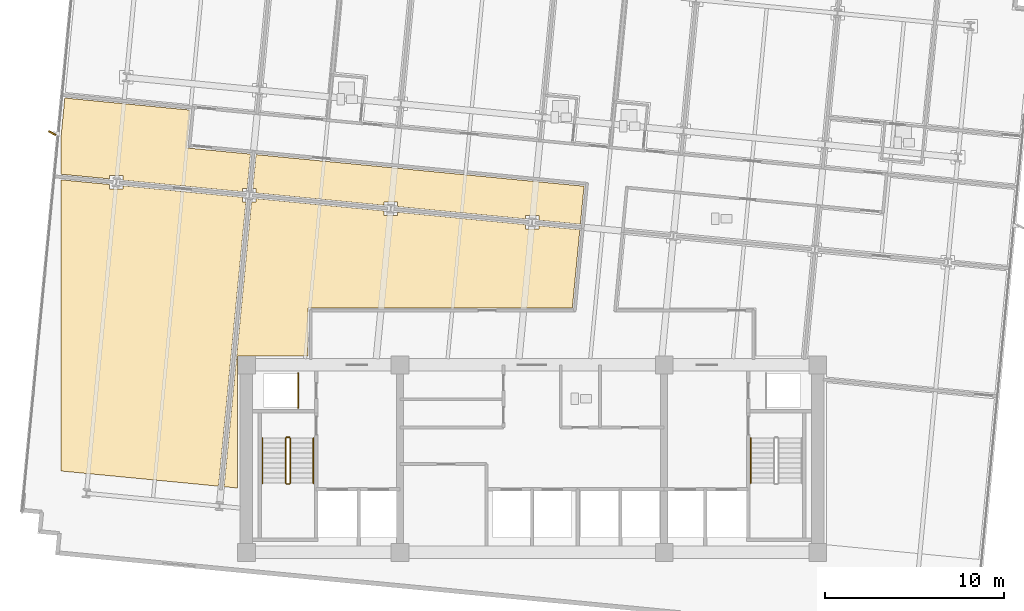
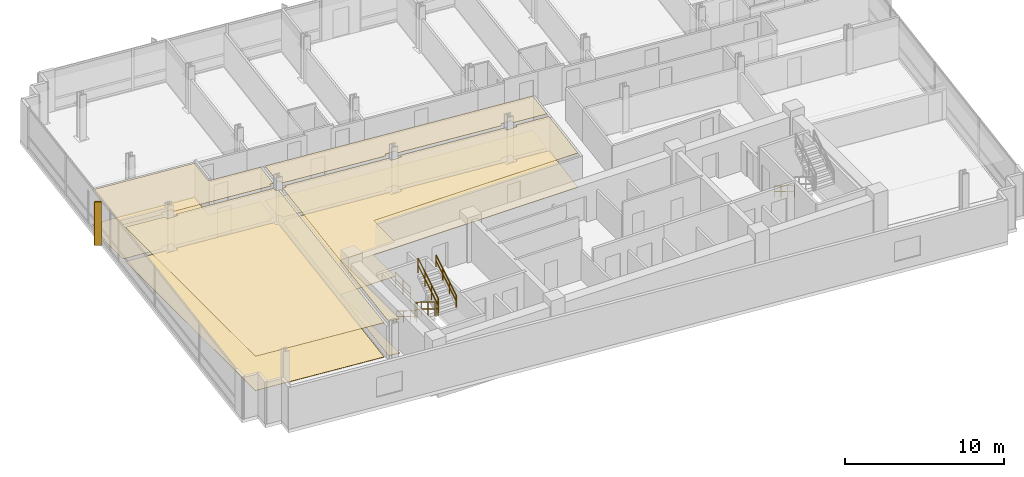
# One storey, part 14 of 17: 8 coverings, 8 railings, 1 shading device.
"""IFC4 building model written with IfcOpenShell, lengths in metres."""

import ifcopenshell
import ifcopenshell.guid

model = None  # the IFC model being written
_history = None  # IfcOwnerHistory: only IFC2X3 demands one
_inside = {}  # id of a spatial element -> (the spatial element, [elements in it])
_under = {}  # id of a project, library or spatial element -> (it, [spatial elements below it])
_declared = {}  # id of a project -> (the project, [libraries it declares])
_typed = {}  # id of a type object -> (the type object, [elements of that type])
_made_of = {}  # id of a material, layer set ... -> (it, [elements and type objects made of it])


def new_model(schema):
    """Start an empty IFC model of exactly this schema.

    Asked for "IFC4X3", IfcOpenShell would pick the latest addendum, in which some entities
    have other attributes; the version numbers below select the first issue.
    IFC2X3 requires an IfcOwnerHistory on every rooted entity: one is made here for all.
    """
    global model, _history
    if schema == "IFC4X3":
        model = ifcopenshell.file(schema_version=(4, 3, 0, 0))
    else:
        model = ifcopenshell.file(schema=schema)
    _inside.clear()
    _under.clear()
    _declared.clear()
    _typed.clear()
    _made_of.clear()
    _history = None
    if model.schema == "IFC2X3":
        org = make("IfcOrganization", Name="unknown")
        user = make(
            "IfcPersonAndOrganization",
            ThePerson=make("IfcPerson", FamilyName="unknown"),
            TheOrganization=org,
        )
        app = make(
            "IfcApplication",
            ApplicationDeveloper=org,
            Version="unknown",
            ApplicationFullName="unknown",
            ApplicationIdentifier="unknown",
        )
        _history = make(
            "IfcOwnerHistory",
            OwningUser=user,
            OwningApplication=app,
            ChangeAction="ADDED",
            CreationDate=0,
        )
    return model


def make(cls, **values):
    """One entity of the class cls with the attributes given. An attribute that is None is left unset."""
    return model.create_entity(
        cls, **{name: value for name, value in values.items() if value is not None}
    )


def rooted(cls, **values):
    """An entity with a GlobalId (a new one), such as an element, a storey or a relation."""
    return make(cls, GlobalId=ifcopenshell.guid.new(), OwnerHistory=_history, **values)


def si_unit(unit_type, name, prefix=None):
    """IfcSIUnit, for example si_unit("LENGTHUNIT", "METRE", prefix="MILLI")."""
    return make("IfcSIUnit", UnitType=unit_type, Prefix=prefix, Name=name)


def assignment(units):
    """IfcUnitAssignment: the units of a project."""
    return None if units is None else make("IfcUnitAssignment", Units=units)


def point(xyz):
    """IfcCartesianPoint."""
    return None if xyz is None else make("IfcCartesianPoint", Coordinates=xyz)


def direction(xyz):
    """IfcDirection."""
    return None if xyz is None else make("IfcDirection", DirectionRatios=xyz)


def frame(location, z_axis=None, x_axis=None):
    """IfcAxis2Placement3D, a coordinate frame: its origin and axes. An axis left out is left unset."""
    return make(
        "IfcAxis2Placement3D",
        Location=point(location),
        Axis=direction(z_axis),
        RefDirection=direction(x_axis),
    )


def frame_2d(location, x_axis=None):
    """IfcAxis2Placement2D, a coordinate frame in the plane: its origin and x axis."""
    return make(
        "IfcAxis2Placement2D", Location=point(location), RefDirection=direction(x_axis)
    )


def origin():
    """The frame at (0, 0, 0) with its axes left unset."""
    return frame((0.0, 0.0, 0.0))


def origin_2d():
    """The frame at (0, 0) in the plane with its x axis left unset."""
    return frame_2d((0.0, 0.0))


def place(relative_to, where):
    """IfcLocalPlacement: puts the frame where relative to a parent placement (None: the world)."""
    return make(
        "IfcLocalPlacement", PlacementRelTo=relative_to, RelativePlacement=where
    )


def context(
    kind, dimensions, precision=None, world=None, true_north=None, identifier=None
):
    """IfcGeometricRepresentationContext, for example the 3D "Model" context."""
    return make(
        "IfcGeometricRepresentationContext",
        ContextIdentifier=identifier,
        ContextType=kind,
        CoordinateSpaceDimension=dimensions,
        Precision=precision,
        WorldCoordinateSystem=world,
        TrueNorth=true_north,
    )


def subcontext(parent, identifier, kind, view, scale=None):
    """IfcGeometricRepresentationSubContext, for example "Body" below "Model"."""
    return make(
        "IfcGeometricRepresentationSubContext",
        ContextIdentifier=identifier,
        ContextType=kind,
        ParentContext=parent,
        TargetScale=scale,
        TargetView=view,
    )


def project(units=None, contexts=None):
    """IfcProject with its units and contexts."""
    return rooted(
        "IfcProject",
        Name="project",
        RepresentationContexts=contexts,
        UnitsInContext=assignment(units),
    )


def spatial(cls, under=None, at=None, **own):
    """A site, building, storey or space (cls), placed at a placement, below another one or the project."""
    s = rooted(cls, ObjectPlacement=at, **own)
    if under is not None:
        _under.setdefault(under.id(), (under, []))[1].append(s)
    return s


def polyline(points):
    """IfcPolyline through the points."""
    return make("IfcPolyline", Points=[point(p) for p in points])


def profile(cls, at=None, kind="AREA", **sizes):
    """A parametric profile (cls). Its sizes go by their IFC names, for example OverallWidth=200.0."""
    return make(cls, ProfileType=kind, Position=at, **sizes)


def rectangle(**sizes):
    """IfcRectangleProfileDef."""
    return profile("IfcRectangleProfileDef", **sizes)


def circle(**sizes):
    """IfcCircleProfileDef."""
    return profile("IfcCircleProfileDef", **sizes)


def outline(outer, holes=None, kind="AREA"):
    """IfcArbitraryClosedProfileDef: a profile drawn as a closed curve; with holes, ...WithVoids."""
    if holes is None:
        return make("IfcArbitraryClosedProfileDef", ProfileType=kind, OuterCurve=outer)
    return make(
        "IfcArbitraryProfileDefWithVoids",
        ProfileType=kind,
        OuterCurve=outer,
        InnerCurves=holes,
    )


def extrude(swept, where, along, depth):
    """IfcExtrudedAreaSolid: the profile swept, set in the frame where, extruded along a direction by depth."""
    return make(
        "IfcExtrudedAreaSolid",
        SweptArea=swept,
        Position=where,
        ExtrudedDirection=direction(along),
        Depth=depth,
    )


def shape(context_of_items, identifier, shape_type, items):
    """IfcShapeRepresentation: the items that make up one representation, for example the "Body"."""
    return make(
        "IfcShapeRepresentation",
        ContextOfItems=context_of_items,
        RepresentationIdentifier=identifier,
        RepresentationType=shape_type,
        Items=items,
    )


def material(Name=None, Category=None):
    """IfcMaterial."""
    return make("IfcMaterial", Name=Name, Category=Category)


def layer(
    of_material, thickness, ventilated=None, Name=None, Category=None, Priority=None
):
    """IfcMaterialLayer: one layer of a wall or slab, of a material (None: an air gap)."""
    return make(
        "IfcMaterialLayer",
        Material=of_material,
        LayerThickness=thickness,
        IsVentilated=ventilated,
        Name=Name,
        Category=Category,
        Priority=Priority,
    )


def layer_set(layers, Name=None):
    """IfcMaterialLayerSet."""
    return make("IfcMaterialLayerSet", MaterialLayers=layers, LayerSetName=Name)


def made_of(thing, what):
    """Note that an element or type object is made of a material, layer set ...; save() writes the relation."""
    if what is not None:
        _made_of.setdefault(what.id(), (what, []))[1].append(thing)
    return thing


def type_object(cls, material=None, **own):
    """A type object (cls), such as IfcWallType, which elements share."""
    return made_of(rooted(cls, **own), material)


def element(
    cls,
    number,
    at=None,
    inside=None,
    cuts=None,
    type_object=None,
    material=None,
    context=None,
    identifier="Body",
    shape_type=None,
    held_by="IfcProductDefinitionShape",
    body=None,
    shapes=None,
    **own,
):
    """One element of the class cls, such as IfcWall. Its Tag is "e" and its number.

    at: its placement. inside: the storey or other place that contains it. cuts: it is an
    opening in that element (IfcRelVoidsElement). A single representation is given by context,
    identifier, shape_type and body (its items); several are given by shapes. held_by: the class
    of the entity that holds the representations. save() writes the other relations.
    """
    e = rooted(cls, Tag="e%d" % number, ObjectPlacement=at, **own)
    if body is not None:
        shapes = [shape(context, identifier, shape_type, body)]
    if shapes is not None:
        e.Representation = make(held_by, Representations=shapes)
    if inside is not None:
        _inside.setdefault(inside.id(), (inside, []))[1].append(e)
    if cuts is not None:
        rooted(
            "IfcRelVoidsElement", RelatingBuildingElement=cuts, RelatedOpeningElement=e
        )
    if type_object is not None:
        _typed.setdefault(type_object.id(), (type_object, []))[1].append(e)
    return made_of(e, material)


def aggregate(whole, parts):
    """IfcRelAggregates: a whole, such as a stair, and the parts it consists of."""
    return rooted("IfcRelAggregates", RelatingObject=whole, RelatedObjects=parts)


def save(model, path):
    """Write the relations noted so far, then the file.

    IfcRelAggregates (storeys below a building ...), IfcRelContainedInSpatialStructure (elements
    in a storey), IfcRelDefinesByType, IfcRelAssociatesMaterial and IfcRelDeclares: one each for
    every whole, place, type object, material and project.
    """
    for whole, parts in _under.values():
        aggregate(whole, parts)
    for where, things in _inside.values():
        rooted(
            "IfcRelContainedInSpatialStructure",
            RelatedElements=things,
            RelatingStructure=where,
        )
    for kind, things in _typed.values():
        rooted("IfcRelDefinesByType", RelatedObjects=things, RelatingType=kind)
    for what, things in _made_of.values():
        rooted("IfcRelAssociatesMaterial", RelatedObjects=things, RelatingMaterial=what)
    for by, libraries in _declared.values():
        rooted("IfcRelDeclares", RelatingContext=by, RelatedDefinitions=libraries)
    model.write(path)


model = new_model("IFC4")

# Units and contexts
model_context = context("Model", 3, precision=1e-05, world=origin(), true_north=direction((0.0, 1.0)))
body_context = subcontext(model_context, "Body", "Model", "MODEL_VIEW")
ifc_project = project(units=[si_unit("LENGTHUNIT", "METRE"), si_unit("AREAUNIT", "SQUARE_METRE"), si_unit("VOLUMEUNIT", "CUBIC_METRE"), si_unit("PLANEANGLEUNIT", "RADIAN"), si_unit("MASSUNIT", "GRAM", prefix="KILO")], contexts=[model_context])

# Site, building, storey
site_placement = place(None, origin())
site = spatial("IfcSite", under=ifc_project, at=site_placement, CompositionType="ELEMENT")
building_placement = place(site_placement, origin())
building = spatial("IfcBuilding", under=site, at=building_placement, Name="Solmavex Isthmus Hotel", CompositionType="ELEMENT")
storey_placement = place(building_placement, frame((0.0, 0.0, 173.85009765625)))
storey = spatial("IfcBuildingStorey", under=building, at=storey_placement, Name="L47", CompositionType="ELEMENT", Elevation=173.85009765625)

# Coverings
ifc_material_1 = material(Name="Gypsum plasterboard lining", Category="gypsum")
ifc_layer_1 = layer(ifc_material_1, 0.030029296875)
ifc_layer_set_1 = layer_set([ifc_layer_1], Name="Gypsum plasterboard lining")
covering_type_1 = type_object("IfcCoveringType", Name="COV-CEIL-GYP", PredefinedType="CEILING", material=ifc_layer_set_1)
covering_1_placement = place(storey_placement, frame((0.0, 0.0, 2.619873046875)))
element("IfcCovering", 1, at=covering_1_placement, inside=storey, type_object=covering_type_1, Name="Suspended Acoustic Ceiling L47-FL10", PredefinedType="CEILING", context=body_context, shape_type="SweptSolid", body=[
    extrude(outline(polyline([(-16.217529296875, 7.207763671875), (-16.217529296875, 7.3955078125), (-15.95654296875, 7.3955078125), (-15.771728515625, 9.314697265625), (-19.355224609375, 9.65966796875), (-19.151123046875, 11.780029296875), (-26.176513671875, 12.45654296875), (-26.39990234375, 10.135986328125), (-26.39990234375, 8.188232421875), (-23.6708984375, 7.925537109375), (-23.6708984375, 8.113037109375), (-22.910888671875, 8.113037109375), (-22.910888671875, 7.852294921875), (-16.217529296875, 7.207763671875)])), origin(), (0.0, 0.0, 1.0), 0.030029296875),
])
covering_2_placement = place(storey_placement, frame((0.0, 0.0, 2.619873046875)))
element("IfcCovering", 2, at=covering_2_placement, inside=storey, type_object=covering_type_1, Name="Suspended Acoustic Ceiling L47-FL12", PredefinedType="CEILING", context=body_context, shape_type="SweptSolid", body=[
    extrude(outline(polyline([(-0.378662109375, 5.6826171875), (-0.378662109375, 5.870361328125), (0.38134765625, 5.870361328125), (0.38134765625, 5.609375), (2.706787109375, 5.385498046875), (2.911865234375, 7.515625), (-15.463134765625, 9.284912109375), (-15.645263671875, 7.3955078125), (-15.45751953125, 7.3955078125), (-15.45751953125, 7.134521484375), (-8.298095703125, 6.445068359375), (-8.298095703125, 6.6328125), (-7.5380859375, 6.6328125), (-7.5380859375, 6.3720703125), (-0.378662109375, 5.6826171875)])), origin(), (0.0, 0.0, 1.0), 0.030029296875),
])
covering_3_placement = place(storey_placement, frame((0.0, 0.0, 2.619873046875)))
element("IfcCovering", 3, at=covering_3_placement, inside=storey, type_object=covering_type_1, Name="Suspended Acoustic Ceiling L47-FL16", PredefinedType="CEILING", context=body_context, shape_type="SweptSolid", body=[
    extrude(outline(polyline([(-15.45751953125, 6.822998046875), (-15.45751953125, 6.635498046875), (-15.71826171875, 6.635498046875), (-17.254638671875, -9.31884765625), (-16.5048828125, -9.39111328125), (-16.5048828125, -1.9951171875), (-12.554931640625, -1.9951171875), (-12.554931640625, 0.705078125), (2.256103515625, 0.705078125), (2.677001953125, 5.076904296875), (0.38134765625, 5.298095703125), (0.38134765625, 5.1103515625), (-0.378662109375, 5.1103515625), (-0.378662109375, 5.37109375), (-7.5380859375, 6.060546875), (-7.5380859375, 5.872802734375), (-8.298095703125, 5.872802734375), (-8.298095703125, 6.1337890625), (-15.45751953125, 6.822998046875)])), origin(), (0.0, 0.0, 1.0), 0.030029296875),
])
covering_4_placement = place(storey_placement, frame((0.0, 0.0, 2.619873046875)))
element("IfcCovering", 4, at=covering_4_placement, inside=storey, type_object=covering_type_1, Name="Suspended Acoustic Ceiling L47-FL17", PredefinedType="CEILING", context=body_context, shape_type="SweptSolid", body=[
    extrude(outline(polyline([(-22.910888671875, 7.540771484375), (-22.910888671875, 7.35302734375), (-23.6708984375, 7.35302734375), (-23.6708984375, 7.614013671875), (-26.39990234375, 7.876708984375), (-26.39990234375, -8.438232421875), (-17.563232421875, -9.289306640625), (-16.02978515625, 6.635498046875), (-16.217529296875, 6.635498046875), (-16.217529296875, 6.896240234375), (-22.910888671875, 7.540771484375)])), origin(), (0.0, 0.0, 1.0), 0.030029296875),
])
ifc_material_2 = material(Name="Travertine natural stone", Category="masonry")
ifc_layer_2 = layer(ifc_material_2, 0.02490234375)
ifc_layer_set_2 = layer_set([ifc_layer_2], Name="Travertine natural stone")
covering_type_2 = type_object("IfcCoveringType", Name="COV-FLOR-STN", PredefinedType="FLOORING", material=ifc_layer_set_2)
covering_5_placement = place(storey_placement, origin())
element("IfcCovering", 5, at=covering_5_placement, inside=storey, type_object=covering_type_2, Name="Stone and Timber Floor Finish L47-FL10", PredefinedType="FLOORING", context=body_context, shape_type="SweptSolid", body=[
    extrude(outline(polyline([(-16.217529296875, 7.207763671875), (-16.217529296875, 7.3955078125), (-15.95654296875, 7.3955078125), (-15.771728515625, 9.314697265625), (-19.355224609375, 9.65966796875), (-19.151123046875, 11.780029296875), (-26.176513671875, 12.45654296875), (-26.39990234375, 10.135986328125), (-26.39990234375, 8.188232421875), (-23.6708984375, 7.925537109375), (-23.6708984375, 8.113037109375), (-22.910888671875, 8.113037109375), (-22.910888671875, 7.852294921875), (-16.217529296875, 7.207763671875)])), origin(), (0.0, 0.0, 1.0), 0.02490234375),
])
covering_6_placement = place(storey_placement, origin())
element("IfcCovering", 6, at=covering_6_placement, inside=storey, type_object=covering_type_2, Name="Stone and Timber Floor Finish L47-FL12", PredefinedType="FLOORING", context=body_context, shape_type="SweptSolid", body=[
    extrude(outline(polyline([(-0.378662109375, 5.6826171875), (-0.378662109375, 5.870361328125), (0.38134765625, 5.870361328125), (0.38134765625, 5.609375), (2.706787109375, 5.385498046875), (2.911865234375, 7.515625), (-15.463134765625, 9.284912109375), (-15.645263671875, 7.3955078125), (-15.45751953125, 7.3955078125), (-15.45751953125, 7.134521484375), (-8.298095703125, 6.445068359375), (-8.298095703125, 6.6328125), (-7.5380859375, 6.6328125), (-7.5380859375, 6.3720703125), (-0.378662109375, 5.6826171875)])), origin(), (0.0, 0.0, 1.0), 0.02490234375),
])
covering_7_placement = place(storey_placement, origin())
element("IfcCovering", 7, at=covering_7_placement, inside=storey, type_object=covering_type_2, Name="Stone and Timber Floor Finish L47-FL16", PredefinedType="FLOORING", context=body_context, shape_type="SweptSolid", body=[
    extrude(outline(polyline([(-15.45751953125, 6.822998046875), (-15.45751953125, 6.635498046875), (-15.71826171875, 6.635498046875), (-17.254638671875, -9.31884765625), (-16.5048828125, -9.39111328125), (-16.5048828125, -1.9951171875), (-12.554931640625, -1.9951171875), (-12.554931640625, 0.705078125), (2.256103515625, 0.705078125), (2.677001953125, 5.076904296875), (0.38134765625, 5.298095703125), (0.38134765625, 5.1103515625), (-0.378662109375, 5.1103515625), (-0.378662109375, 5.37109375), (-7.5380859375, 6.060546875), (-7.5380859375, 5.872802734375), (-8.298095703125, 5.872802734375), (-8.298095703125, 6.1337890625), (-15.45751953125, 6.822998046875)])), origin(), (0.0, 0.0, 1.0), 0.02490234375),
])
covering_8_placement = place(storey_placement, origin())
element("IfcCovering", 8, at=covering_8_placement, inside=storey, type_object=covering_type_2, Name="Stone and Timber Floor Finish L47-FL17", PredefinedType="FLOORING", context=body_context, shape_type="SweptSolid", body=[
    extrude(outline(polyline([(-22.910888671875, 7.540771484375), (-22.910888671875, 7.35302734375), (-23.6708984375, 7.35302734375), (-23.6708984375, 7.614013671875), (-26.39990234375, 7.876708984375), (-26.39990234375, -8.438232421875), (-17.563232421875, -9.289306640625), (-16.02978515625, 6.635498046875), (-16.217529296875, 6.635498046875), (-16.217529296875, 6.896240234375), (-22.910888671875, 7.540771484375)])), origin(), (0.0, 0.0, 1.0), 0.02490234375),
])

# Railings
ifc_material_3 = material(Name="Clear low-E laminated glass", Category="glass")
ifc_layer_3 = layer(ifc_material_3, 0.080078125)
ifc_layer_set_3 = layer_set([ifc_layer_3], Name="Clear low-E laminated glass")
railing_type_1 = type_object("IfcRailingType", Name="RAIL-ATRIUM-1120", PredefinedType="BALUSTRADE", material=ifc_layer_set_3)
railing_1_placement = place(storey_placement, frame((-13.10009765625, -4.89990234375, 0.0)))
element("IfcRailing", 9, at=railing_1_placement, inside=storey, type_object=railing_type_1, Name="Guardrail Balustrade L47-RSW-01", PredefinedType="BALUSTRADE", context=body_context, shape_type="SweptSolid", body=[
    extrude(circle(Radius=0.02392578125, at=origin_2d()), frame((0.0, 0.0, 1.1259765625), z_axis=(0.0, 1.0, 0.0), x_axis=(-1.0, 0.0, 0.0)), (0.0, 0.0, 1.0), 1.949951171875),
    extrude(circle(Radius=0.02392578125, at=origin_2d()), frame((0.0, 0.0, 0.574951171875), z_axis=(0.0, 1.0, 0.0), x_axis=(-1.0, 0.0, 0.0)), (0.0, 0.0, 1.0), 1.949951171875),
    extrude(circle(Radius=0.02099609375, at=origin_2d()), origin(), (0.0, 0.0, 1.0), 1.101806640625),
    extrude(circle(Radius=0.02099609375, at=origin_2d()), frame((0.0, 0.97509765625, 0.0)), (0.0, 0.0, 1.0), 1.101806640625),
    extrude(circle(Radius=0.02099609375, at=origin_2d()), frame((0.0, 1.949951171875, 0.0)), (0.0, 0.0, 1.0), 1.101806640625),
])
ifc_material_4 = material(Name="Stainless steel 316", Category="steel")
ifc_layer_4 = layer(ifc_material_4, 0.06005859375)
ifc_layer_set_4 = layer_set([ifc_layer_4], Name="Stainless steel 316")
railing_type_2 = type_object("IfcRailingType", Name="RAIL-STAIR-GD", PredefinedType="GUARDRAIL", material=ifc_layer_set_4)
railing_2_placement = place(storey_placement, frame((-13.800048828125, -6.60009765625, 0.17236328125)))
element("IfcRailing", 10, at=railing_2_placement, inside=storey, type_object=railing_type_2, Name="L47 ST-1 stair guard 1", PredefinedType="GUARDRAIL", context=body_context, shape_type="SweptSolid", body=[
    extrude(circle(Radius=0.02392578125, at=origin_2d()), frame((0.0, 0.0, 1.09619140625), z_axis=(0.0, -0.851400495292, 0.524516154772), x_axis=(1.0, 0.0, 0.0)), (0.0, 0.0, 1.0), 2.9599609375),
    extrude(circle(Radius=0.02392578125, at=origin_2d()), frame((0.0, 0.0, 0.56005859375), z_axis=(0.0, -0.851400495292, 0.524516154772), x_axis=(1.0, 0.0, 0.0)), (0.0, 0.0, 1.0), 2.9599609375),
    extrude(circle(Radius=0.02099609375, at=origin_2d()), origin(), (0.0, 0.0, 1.0), 1.072021484375),
    extrude(circle(Radius=0.02099609375, at=origin_2d()), frame((0.0, -0.840087890625, 0.517578125)), (0.0, 0.0, 1.0), 1.072021484375),
    extrude(circle(Radius=0.02099609375, at=origin_2d()), frame((0.0, -1.679931640625, 1.034912109375)), (0.0, 0.0, 1.0), 1.072021484375),
    extrude(circle(Radius=0.02099609375, at=origin_2d()), frame((0.0, -2.52001953125, 1.552490234375)), (0.0, 0.0, 1.0), 1.072021484375),
])
railing_3_placement = place(storey_placement, frame((-13.75, -9.169921875, 1.724853515625)))
element("IfcRailing", 11, at=railing_3_placement, inside=storey, type_object=railing_type_2, Name="L47 ST-1 stair guard 2", PredefinedType="GUARDRAIL", context=body_context, shape_type="SweptSolid", body=[
    extrude(circle(Radius=0.02392578125, at=origin_2d()), frame((0.0, 0.0, 1.09619140625), z_axis=(1.0, 0.0, 0.0), x_axis=(0.0, 1.0, 0.0)), (0.0, 0.0, 1.0), 0.14990234375),
    extrude(circle(Radius=0.02392578125, at=origin_2d()), frame((0.0, 0.0, 0.56005859375), z_axis=(1.0, 0.0, 0.0), x_axis=(0.0, 1.0, 0.0)), (0.0, 0.0, 1.0), 0.14990234375),
    extrude(circle(Radius=0.02099609375, at=origin_2d()), origin(), (0.0, 0.0, 1.0), 1.072021484375),
    extrude(circle(Radius=0.02099609375, at=origin_2d()), frame((0.14990234375, 0.0, 0.0)), (0.0, 0.0, 1.0), 1.072021484375),
])
railing_4_placement = place(storey_placement, frame((-13.550048828125, -9.1201171875, 1.8974609375)))
element("IfcRailing", 12, at=railing_4_placement, inside=storey, type_object=railing_type_2, Name="L47 ST-1 stair guard 3", PredefinedType="GUARDRAIL", context=body_context, shape_type="SweptSolid", body=[
    extrude(circle(Radius=0.02392578125, at=origin_2d()), frame((0.0, 0.0, 1.09619140625), z_axis=(0.0, 0.851400495292, 0.524516154772), x_axis=(-1.0, 0.0, 0.0)), (0.0, 0.0, 1.0), 2.9599609375),
    extrude(circle(Radius=0.02392578125, at=origin_2d()), frame((0.0, 0.0, 0.56005859375), z_axis=(0.0, 0.851400495292, 0.524516154772), x_axis=(-1.0, 0.0, 0.0)), (0.0, 0.0, 1.0), 2.9599609375),
    extrude(circle(Radius=0.02099609375, at=origin_2d()), origin(), (0.0, 0.0, 1.0), 1.072021484375),
    extrude(circle(Radius=0.02099609375, at=origin_2d()), frame((0.0, 0.840087890625, 0.517578125)), (0.0, 0.0, 1.0), 1.072021484375),
    extrude(circle(Radius=0.02099609375, at=origin_2d()), frame((0.0, 1.679931640625, 1.034912109375)), (0.0, 0.0, 1.0), 1.072021484375),
    extrude(circle(Radius=0.02099609375, at=origin_2d()), frame((0.0, 2.52001953125, 1.552490234375)), (0.0, 0.0, 1.0), 1.072021484375),
])
railing_5_placement = place(storey_placement, frame((-13.75, -6.550048828125, 0.0)))
element("IfcRailing", 13, at=railing_5_placement, inside=storey, type_object=railing_type_2, Name="L47 ST-1 stair guard 4", PredefinedType="GUARDRAIL", context=body_context, shape_type="SweptSolid", body=[
    extrude(circle(Radius=0.02392578125, at=origin_2d()), frame((0.0, 0.0, 1.09619140625), z_axis=(1.0, 0.0, 0.0), x_axis=(0.0, 1.0, 0.0)), (0.0, 0.0, 1.0), 0.14990234375),
    extrude(circle(Radius=0.02392578125, at=origin_2d()), frame((0.0, 0.0, 0.56005859375), z_axis=(1.0, 0.0, 0.0), x_axis=(0.0, 1.0, 0.0)), (0.0, 0.0, 1.0), 0.14990234375),
    extrude(circle(Radius=0.02099609375, at=origin_2d()), origin(), (0.0, 0.0, 1.0), 1.072021484375),
    extrude(circle(Radius=0.02099609375, at=origin_2d()), frame((0.14990234375, 0.0, 0.0)), (0.0, 0.0, 1.0), 1.072021484375),
])
ifc_layer_5 = layer(ifc_material_4, 0.050048828125)
ifc_layer_set_5 = layer_set([ifc_layer_5], Name="Stainless steel 316")
railing_type_3 = type_object("IfcRailingType", Name="RAIL-STAIR-HR", PredefinedType="HANDRAIL", material=ifc_layer_set_5)
railing_6_placement = place(storey_placement, frame((-15.10009765625, -6.60009765625, 0.17236328125)))
element("IfcRailing", 14, at=railing_6_placement, inside=storey, type_object=railing_type_3, Name="L47 ST-1 stair handrail 1", PredefinedType="HANDRAIL", context=body_context, shape_type="SweptSolid", body=[
    extrude(circle(Radius=0.02392578125, at=origin_2d()), frame((0.0, 0.0, 0.8759765625), z_axis=(0.0, -0.851400495292, 0.524516154772), x_axis=(1.0, 0.0, 0.0)), (0.0, 0.0, 1.0), 2.9599609375),
    extrude(circle(Radius=0.02392578125, at=origin_2d()), frame((0.0, 0.0, 0.449951171875), z_axis=(0.0, -0.851400495292, 0.524516154772), x_axis=(1.0, 0.0, 0.0)), (0.0, 0.0, 1.0), 2.9599609375),
    extrude(circle(Radius=0.02099609375, at=origin_2d()), origin(), (0.0, 0.0, 1.0), 0.851806640625),
    extrude(circle(Radius=0.02099609375, at=origin_2d()), frame((0.0, -0.840087890625, 0.517578125)), (0.0, 0.0, 1.0), 0.851806640625),
    extrude(circle(Radius=0.02099609375, at=origin_2d()), frame((0.0, -1.679931640625, 1.034912109375)), (0.0, 0.0, 1.0), 0.851806640625),
    extrude(circle(Radius=0.02099609375, at=origin_2d()), frame((0.0, -2.52001953125, 1.552490234375)), (0.0, 0.0, 1.0), 0.851806640625),
])
railing_7_placement = place(storey_placement, frame((-12.25, -9.1201171875, 1.8974609375)))
element("IfcRailing", 15, at=railing_7_placement, inside=storey, type_object=railing_type_3, Name="L47 ST-1 stair handrail 2", PredefinedType="HANDRAIL", context=body_context, shape_type="SweptSolid", body=[
    extrude(circle(Radius=0.02392578125, at=origin_2d()), frame((0.0, 0.0, 0.8759765625), z_axis=(0.0, 0.851400495292, 0.524516154772), x_axis=(-1.0, 0.0, 0.0)), (0.0, 0.0, 1.0), 2.9599609375),
    extrude(circle(Radius=0.02392578125, at=origin_2d()), frame((0.0, 0.0, 0.449951171875), z_axis=(0.0, 0.851400495292, 0.524516154772), x_axis=(-1.0, 0.0, 0.0)), (0.0, 0.0, 1.0), 2.9599609375),
    extrude(circle(Radius=0.02099609375, at=origin_2d()), origin(), (0.0, 0.0, 1.0), 0.851806640625),
    extrude(circle(Radius=0.02099609375, at=origin_2d()), frame((0.0, 0.840087890625, 0.517578125)), (0.0, 0.0, 1.0), 0.851806640625),
    extrude(circle(Radius=0.02099609375, at=origin_2d()), frame((0.0, 1.679931640625, 1.034912109375)), (0.0, 0.0, 1.0), 0.851806640625),
    extrude(circle(Radius=0.02099609375, at=origin_2d()), frame((0.0, 2.52001953125, 1.552490234375)), (0.0, 0.0, 1.0), 0.851806640625),
])
railing_8_placement = place(storey_placement, frame((12.25, -6.60009765625, 0.17236328125)))
element("IfcRailing", 16, at=railing_8_placement, inside=storey, type_object=railing_type_3, Name="L47 ST-2 stair handrail 1", PredefinedType="HANDRAIL", context=body_context, shape_type="SweptSolid", body=[
    extrude(circle(Radius=0.02392578125, at=origin_2d()), frame((0.0, 0.0, 0.8759765625), z_axis=(0.0, -0.851400495292, 0.524516154772), x_axis=(1.0, 0.0, 0.0)), (0.0, 0.0, 1.0), 2.9599609375),
    extrude(circle(Radius=0.02392578125, at=origin_2d()), frame((0.0, 0.0, 0.449951171875), z_axis=(0.0, -0.851400495292, 0.524516154772), x_axis=(1.0, 0.0, 0.0)), (0.0, 0.0, 1.0), 2.9599609375),
    extrude(circle(Radius=0.02099609375, at=origin_2d()), origin(), (0.0, 0.0, 1.0), 0.851806640625),
    extrude(circle(Radius=0.02099609375, at=origin_2d()), frame((0.0, -0.840087890625, 0.517578125)), (0.0, 0.0, 1.0), 0.851806640625),
    extrude(circle(Radius=0.02099609375, at=origin_2d()), frame((0.0, -1.679931640625, 1.034912109375)), (0.0, 0.0, 1.0), 0.851806640625),
    extrude(circle(Radius=0.02099609375, at=origin_2d()), frame((0.0, -2.52001953125, 1.552490234375)), (0.0, 0.0, 1.0), 0.851806640625),
])

# Shading device
ifc_material_5 = material(Name="Aluminium alloy 6063-T6", Category="aluminium")
shading_device_type = type_object("IfcShadingDeviceType", Name="SHD-FIN-BRONZE", PredefinedType="USERDEFINED", material=ifc_material_5)
shading_device_placement = place(storey_placement, frame((-26.88330078125, 10.490234375, -0.14013671875), z_axis=(0.0, 0.0, 1.0), x_axis=(-0.87035569594, 0.492423560103, 0.0)))
element("IfcShadingDevice", 17, at=shading_device_placement, inside=storey, type_object=shading_device_type, Name="Anodised Aluminium Solar Fin L47-W1", ObjectType="SOLAR_FIN", PredefinedType="USERDEFINED", context=body_context, shape_type="SweptSolid", body=[
    extrude(rectangle(XDim=0.449951171875, YDim=0.080078125, at=origin_2d()), origin(), (0.0, 0.0, 1.0), 3.330078125),
])

save(model, "model.ifc")
